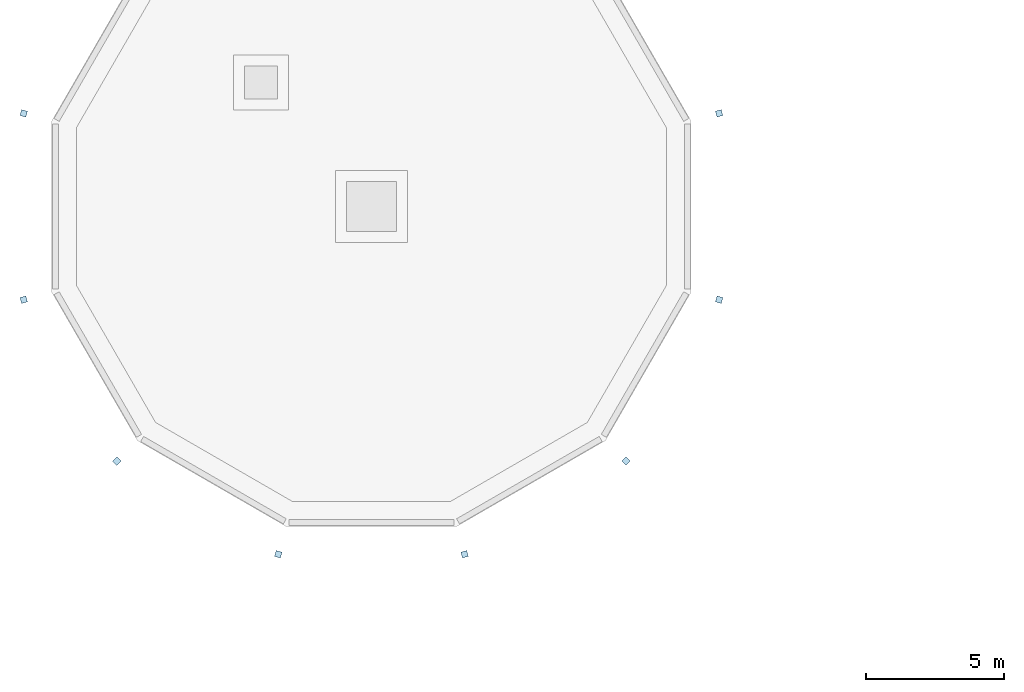
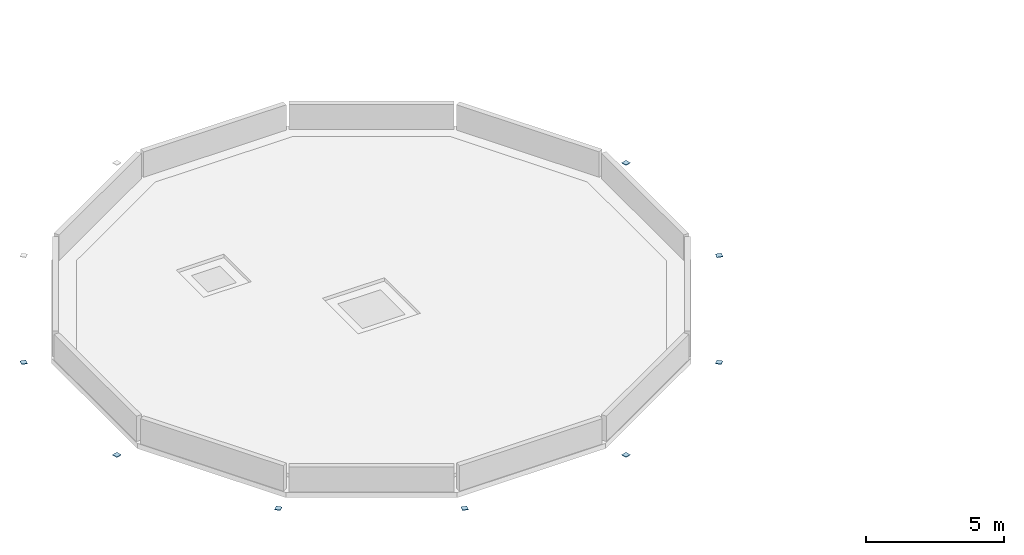
# One storey, part 8 of 18: 8 plates.
"""IFC4 building model written with IfcOpenShell, lengths in metres."""

from ifc_helpers import new_model, si_unit, direction, frame, origin, origin_2d, place, context, subcontext, project, spatial, rectangle, extrude, material, layer, layer_set, type_object, element, save


model = new_model("IFC4")

# Units and contexts
model_context = context("Model", 3, precision=1e-05, world=origin(), true_north=direction((0.0, 1.0)))
body_context = subcontext(model_context, "Body", "Model", "MODEL_VIEW")
ifc_project = project(units=[si_unit("LENGTHUNIT", "METRE"), si_unit("AREAUNIT", "SQUARE_METRE"), si_unit("VOLUMEUNIT", "CUBIC_METRE"), si_unit("PLANEANGLEUNIT", "RADIAN"), si_unit("MASSUNIT", "GRAM", prefix="KILO")], contexts=[model_context])

# Site, building, storey
site_placement = place(None, origin())
site = spatial("IfcSite", under=ifc_project, at=site_placement, CompositionType="ELEMENT")
building_placement = place(site_placement, origin())
building = spatial("IfcBuilding", under=site, at=building_placement, Name="Wrenclough Park School", CompositionType="ELEMENT")
storey_placement = place(building_placement, frame((0.0, 0.0, 20.800048828125)))
storey = spatial("IfcBuildingStorey", under=building, at=storey_placement, Name="L05", CompositionType="ELEMENT", Elevation=20.800048828125)

# Plates
ifc_material = material(Name="Structural steel S355", Category="steel")
ifc_layer = layer(ifc_material, 0.02197265625)
ifc_layer_set = layer_set([ifc_layer], Name="Structural steel S355")
plate_type = type_object("IfcPlateType", Name="STR-PL-EP180", PredefinedType="SHEET", material=ifc_layer_set)
for number, where, z_axis, x_axis, name in (
    (1, (29.105224609375, 92.877685546875, 0.0), (0.0, 0.0, 1.0), (-0.258819045103, 0.965925826289, 0.0), "Hollow steel column top sealing cap plate D3-OUT-01"),
    (2, (3.894775390625, 92.877685546875, 0.0), (0.0, 0.0, 1.0), (-0.258819045103, -0.965925826289, 0.0), "Hollow steel column top sealing cap plate D3-OUT-06"),
    (3, (3.894775390625, 86.122314453125, 0.0), (0.0, 0.0, 1.0), (0.258819045103, -0.965925826289, 0.0), "Hollow steel column top sealing cap plate D3-OUT-07"),
    (4, (7.272216796875, 80.272216796875, 0.0), (0.0, 0.0, 1.0), (0.707106781187, -0.707106781187, 0.0), "Hollow steel column top sealing cap plate D3-OUT-08"),
    (5, (13.122314453125, 76.894775390625, 0.0), (0.0, 0.0, 1.0), (0.965925826289, -0.258819045103, 0.0), "Hollow steel column top sealing cap plate D3-OUT-09"),
    (6, (19.877685546875, 76.894775390625, 0.0), (0.0, 0.0, 1.0), (0.965925826289, 0.258819045103, 0.0), "Hollow steel column top sealing cap plate D3-OUT-10"),
    (7, (25.727783203125, 80.272216796875, 0.0), (0.0, 0.0, 1.0), (0.707106781187, 0.707106781187, 0.0), "Hollow steel column top sealing cap plate D3-OUT-11"),
    (8, (29.105224609375, 86.122314453125, 0.0), (0.0, 0.0, 1.0), (0.258819045103, 0.965925826289, 0.0), "Hollow steel column top sealing cap plate D3-OUT-12"),
):
    element("IfcPlate", number, at=place(storey_placement, frame(where, z_axis=z_axis, x_axis=x_axis)), inside=storey, type_object=plate_type, Name=name, PredefinedType="SHEET", context=body_context, shape_type="SweptSolid", body=[
        extrude(rectangle(XDim=0.219970703125, YDim=0.219970703125, at=origin_2d()), origin(), (0.0, 0.0, 1.0), 0.02197265625),
    ])

save(model, "model.ifc")
